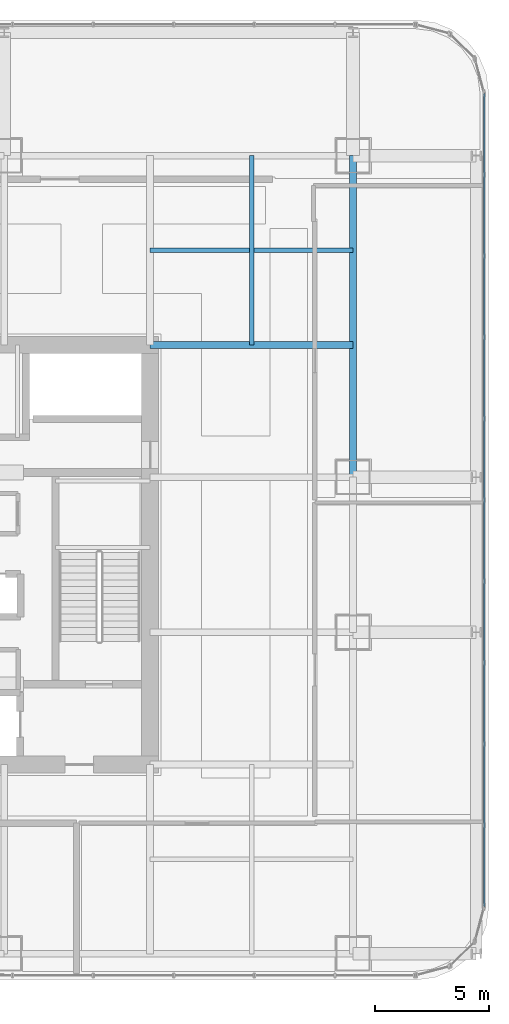
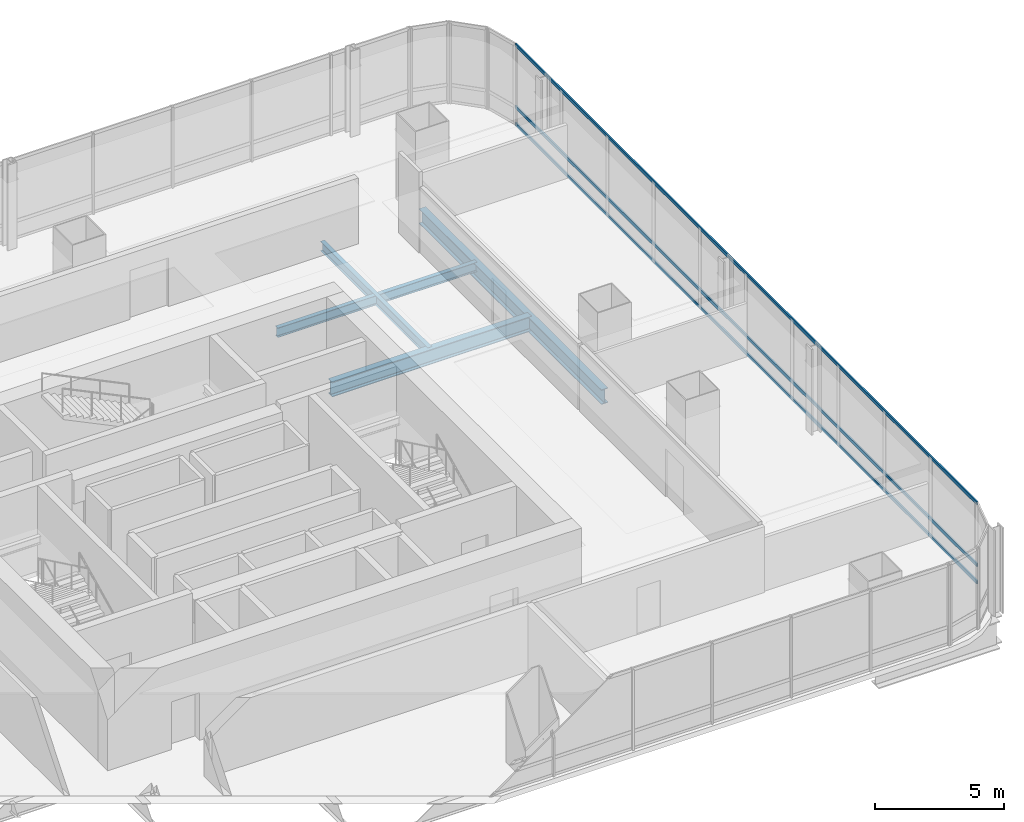
# One storey, part 17 of 34: 4 beams, 3 members, 1 element without a shape of its own.
"""IFC4 building model written with IfcOpenShell, lengths in metres."""

import ifcopenshell
import ifcopenshell.guid

model = None  # the IFC model being written
_history = None  # IfcOwnerHistory: only IFC2X3 demands one
_inside = {}  # id of a spatial element -> (the spatial element, [elements in it])
_under = {}  # id of a project, library or spatial element -> (it, [spatial elements below it])
_declared = {}  # id of a project -> (the project, [libraries it declares])
_typed = {}  # id of a type object -> (the type object, [elements of that type])
_made_of = {}  # id of a material, layer set ... -> (it, [elements and type objects made of it])


def new_model(schema):
    """Start an empty IFC model of exactly this schema.

    Asked for "IFC4X3", IfcOpenShell would pick the latest addendum, in which some entities
    have other attributes; the version numbers below select the first issue.
    IFC2X3 requires an IfcOwnerHistory on every rooted entity: one is made here for all.
    """
    global model, _history
    if schema == "IFC4X3":
        model = ifcopenshell.file(schema_version=(4, 3, 0, 0))
    else:
        model = ifcopenshell.file(schema=schema)
    _inside.clear()
    _under.clear()
    _declared.clear()
    _typed.clear()
    _made_of.clear()
    _history = None
    if model.schema == "IFC2X3":
        org = make("IfcOrganization", Name="unknown")
        user = make(
            "IfcPersonAndOrganization",
            ThePerson=make("IfcPerson", FamilyName="unknown"),
            TheOrganization=org,
        )
        app = make(
            "IfcApplication",
            ApplicationDeveloper=org,
            Version="unknown",
            ApplicationFullName="unknown",
            ApplicationIdentifier="unknown",
        )
        _history = make(
            "IfcOwnerHistory",
            OwningUser=user,
            OwningApplication=app,
            ChangeAction="ADDED",
            CreationDate=0,
        )
    return model


def make(cls, **values):
    """One entity of the class cls with the attributes given. An attribute that is None is left unset."""
    return model.create_entity(
        cls, **{name: value for name, value in values.items() if value is not None}
    )


def rooted(cls, **values):
    """An entity with a GlobalId (a new one), such as an element, a storey or a relation."""
    return make(cls, GlobalId=ifcopenshell.guid.new(), OwnerHistory=_history, **values)


def si_unit(unit_type, name, prefix=None):
    """IfcSIUnit, for example si_unit("LENGTHUNIT", "METRE", prefix="MILLI")."""
    return make("IfcSIUnit", UnitType=unit_type, Prefix=prefix, Name=name)


def assignment(units):
    """IfcUnitAssignment: the units of a project."""
    return None if units is None else make("IfcUnitAssignment", Units=units)


def point(xyz):
    """IfcCartesianPoint."""
    return None if xyz is None else make("IfcCartesianPoint", Coordinates=xyz)


def direction(xyz):
    """IfcDirection."""
    return None if xyz is None else make("IfcDirection", DirectionRatios=xyz)


def frame(location, z_axis=None, x_axis=None):
    """IfcAxis2Placement3D, a coordinate frame: its origin and axes. An axis left out is left unset."""
    return make(
        "IfcAxis2Placement3D",
        Location=point(location),
        Axis=direction(z_axis),
        RefDirection=direction(x_axis),
    )


def frame_2d(location, x_axis=None):
    """IfcAxis2Placement2D, a coordinate frame in the plane: its origin and x axis."""
    return make(
        "IfcAxis2Placement2D", Location=point(location), RefDirection=direction(x_axis)
    )


def origin():
    """The frame at (0, 0, 0) with its axes left unset."""
    return frame((0.0, 0.0, 0.0))


def origin_2d():
    """The frame at (0, 0) in the plane with its x axis left unset."""
    return frame_2d((0.0, 0.0))


def place(relative_to, where):
    """IfcLocalPlacement: puts the frame where relative to a parent placement (None: the world)."""
    return make(
        "IfcLocalPlacement", PlacementRelTo=relative_to, RelativePlacement=where
    )


def context(
    kind, dimensions, precision=None, world=None, true_north=None, identifier=None
):
    """IfcGeometricRepresentationContext, for example the 3D "Model" context."""
    return make(
        "IfcGeometricRepresentationContext",
        ContextIdentifier=identifier,
        ContextType=kind,
        CoordinateSpaceDimension=dimensions,
        Precision=precision,
        WorldCoordinateSystem=world,
        TrueNorth=true_north,
    )


def subcontext(parent, identifier, kind, view, scale=None):
    """IfcGeometricRepresentationSubContext, for example "Body" below "Model"."""
    return make(
        "IfcGeometricRepresentationSubContext",
        ContextIdentifier=identifier,
        ContextType=kind,
        ParentContext=parent,
        TargetScale=scale,
        TargetView=view,
    )


def project(units=None, contexts=None):
    """IfcProject with its units and contexts."""
    return rooted(
        "IfcProject",
        Name="project",
        RepresentationContexts=contexts,
        UnitsInContext=assignment(units),
    )


def spatial(cls, under=None, at=None, **own):
    """A site, building, storey or space (cls), placed at a placement, below another one or the project."""
    s = rooted(cls, ObjectPlacement=at, **own)
    if under is not None:
        _under.setdefault(under.id(), (under, []))[1].append(s)
    return s


def profile(cls, at=None, kind="AREA", **sizes):
    """A parametric profile (cls). Its sizes go by their IFC names, for example OverallWidth=200.0."""
    return make(cls, ProfileType=kind, Position=at, **sizes)


def hollow_rectangle(**sizes):
    """IfcRectangleHollowProfileDef."""
    return profile("IfcRectangleHollowProfileDef", **sizes)


def i_section(**sizes):
    """IfcIShapeProfileDef."""
    return profile("IfcIShapeProfileDef", **sizes)


def extrude(swept, where, along, depth):
    """IfcExtrudedAreaSolid: the profile swept, set in the frame where, extruded along a direction by depth."""
    return make(
        "IfcExtrudedAreaSolid",
        SweptArea=swept,
        Position=where,
        ExtrudedDirection=direction(along),
        Depth=depth,
    )


def shape(context_of_items, identifier, shape_type, items):
    """IfcShapeRepresentation: the items that make up one representation, for example the "Body"."""
    return make(
        "IfcShapeRepresentation",
        ContextOfItems=context_of_items,
        RepresentationIdentifier=identifier,
        RepresentationType=shape_type,
        Items=items,
    )


def material(Name=None, Category=None):
    """IfcMaterial."""
    return make("IfcMaterial", Name=Name, Category=Category)


def material_profile(
    of_material, cross_section, Name=None, Category=None, Priority=None
):
    """IfcMaterialProfile: a cross section and its material."""
    return make(
        "IfcMaterialProfile",
        Name=Name,
        Material=of_material,
        Profile=cross_section,
        Priority=Priority,
        Category=Category,
    )


def profile_set(profiles, Name=None, composite=None):
    """IfcMaterialProfileSet."""
    return make(
        "IfcMaterialProfileSet",
        Name=Name,
        MaterialProfiles=profiles,
        CompositeProfile=composite,
    )


def made_of(thing, what):
    """Note that an element or type object is made of a material, layer set ...; save() writes the relation."""
    if what is not None:
        _made_of.setdefault(what.id(), (what, []))[1].append(thing)
    return thing


def type_object(cls, material=None, **own):
    """A type object (cls), such as IfcWallType, which elements share."""
    return made_of(rooted(cls, **own), material)


def element(
    cls,
    number,
    at=None,
    inside=None,
    cuts=None,
    type_object=None,
    material=None,
    context=None,
    identifier="Body",
    shape_type=None,
    held_by="IfcProductDefinitionShape",
    body=None,
    shapes=None,
    **own,
):
    """One element of the class cls, such as IfcWall. Its Tag is "e" and its number.

    at: its placement. inside: the storey or other place that contains it. cuts: it is an
    opening in that element (IfcRelVoidsElement). A single representation is given by context,
    identifier, shape_type and body (its items); several are given by shapes. held_by: the class
    of the entity that holds the representations. save() writes the other relations.
    """
    e = rooted(cls, Tag="e%d" % number, ObjectPlacement=at, **own)
    if body is not None:
        shapes = [shape(context, identifier, shape_type, body)]
    if shapes is not None:
        e.Representation = make(held_by, Representations=shapes)
    if inside is not None:
        _inside.setdefault(inside.id(), (inside, []))[1].append(e)
    if cuts is not None:
        rooted(
            "IfcRelVoidsElement", RelatingBuildingElement=cuts, RelatedOpeningElement=e
        )
    if type_object is not None:
        _typed.setdefault(type_object.id(), (type_object, []))[1].append(e)
    return made_of(e, material)


def aggregate(whole, parts):
    """IfcRelAggregates: a whole, such as a stair, and the parts it consists of."""
    return rooted("IfcRelAggregates", RelatingObject=whole, RelatedObjects=parts)


def save(model, path):
    """Write the relations noted so far, then the file.

    IfcRelAggregates (storeys below a building ...), IfcRelContainedInSpatialStructure (elements
    in a storey), IfcRelDefinesByType, IfcRelAssociatesMaterial and IfcRelDeclares: one each for
    every whole, place, type object, material and project.
    """
    for whole, parts in _under.values():
        aggregate(whole, parts)
    for where, things in _inside.values():
        rooted(
            "IfcRelContainedInSpatialStructure",
            RelatedElements=things,
            RelatingStructure=where,
        )
    for kind, things in _typed.values():
        rooted("IfcRelDefinesByType", RelatedObjects=things, RelatingType=kind)
    for what, things in _made_of.values():
        rooted("IfcRelAssociatesMaterial", RelatedObjects=things, RelatingMaterial=what)
    for by, libraries in _declared.values():
        rooted("IfcRelDeclares", RelatingContext=by, RelatedDefinitions=libraries)
    model.write(path)


model = new_model("IFC4")

# Units and contexts
model_context = context("Model", 3, precision=1e-05, world=origin(), true_north=direction((0.0, 1.0)))
body_context = subcontext(model_context, "Body", "Model", "MODEL_VIEW")
ifc_project = project(units=[si_unit("LENGTHUNIT", "METRE"), si_unit("AREAUNIT", "SQUARE_METRE"), si_unit("VOLUMEUNIT", "CUBIC_METRE"), si_unit("PLANEANGLEUNIT", "RADIAN"), si_unit("MASSUNIT", "GRAM", prefix="KILO")], contexts=[model_context])

# Site, building, storey
site_placement = place(None, origin())
site = spatial("IfcSite", under=ifc_project, at=site_placement, CompositionType="ELEMENT")
building_placement = place(site_placement, origin())
building = spatial("IfcBuilding", under=site, at=building_placement, Name="Punatoya Terracotta Tower", CompositionType="ELEMENT")
storey_placement = place(building_placement, frame((0.0, 0.0, 101.10009765625)))
storey = spatial("IfcBuildingStorey", under=building, at=storey_placement, Name="L23", CompositionType="ELEMENT", Elevation=101.10009765625)

# Beams
ifc_material_1 = material(Name="Steel S355", Category="steel")
ifc_material_profile_1 = material_profile(ifc_material_1, i_section(OverallWidth=0.300048828125, OverallDepth=0.699951171875, WebThickness=0.01708984375, FlangeThickness=0.031982421875, FilletRadius=0.01806640625, at=origin_2d()))
ifc_profile_set_1 = profile_set([ifc_material_profile_1], Name="Steel S355")
beam_type_1 = type_object("IfcBeamType", Name="BM-PRI-700", PredefinedType="BEAM", material=ifc_profile_set_1)
beam_1_placement = place(storey_placement, frame((19.10009765625, 3.39990234375, -0.590087890625), z_axis=(0.0, 1.0, 0.0), x_axis=(-1.0, 0.0, 0.0)))
element("IfcBeam", 1, at=beam_1_placement, inside=storey, type_object=beam_type_1, Name="BM-L23-RG-E3", PredefinedType="BEAM", context=body_context, shape_type="SweptSolid", body=[
    extrude(i_section(OverallWidth=0.300048828125, OverallDepth=0.699951171875, WebThickness=0.01708984375, FlangeThickness=0.031982421875, FilletRadius=0.01806640625, at=origin_2d()), origin(), (0.0, 0.0, 1.0), 14.10009765625),
])
beam_2_placement = place(storey_placement, frame((10.199951171875, 9.199951171875, -0.590087890625), z_axis=(1.0, 0.0, 0.0), x_axis=(0.0, 1.0, 0.0)))
element("IfcBeam", 2, at=beam_2_placement, inside=storey, type_object=beam_type_1, Name="BM-L23-PR-EN", PredefinedType="BEAM", context=body_context, shape_type="SweptSolid", body=[
    extrude(i_section(OverallWidth=0.300048828125, OverallDepth=0.699951171875, WebThickness=0.01708984375, FlangeThickness=0.031982421875, FilletRadius=0.01806640625, at=origin_2d()), origin(), (0.0, 0.0, 1.0), 8.900146484375),
])
ifc_material_profile_2 = material_profile(ifc_material_1, i_section(OverallWidth=0.18994140625, OverallDepth=0.449951171875, WebThickness=0.009521484375, FlangeThickness=0.0146484375, FilletRadius=0.01806640625, at=origin_2d()))
ifc_profile_set_2 = profile_set([ifc_material_profile_2], Name="Steel S355")
beam_type_2 = type_object("IfcBeamType", Name="BM-SEC-450", PredefinedType="JOIST", material=ifc_profile_set_2)
beam_3_placement = place(storey_placement, frame((10.199951171875, 13.35009765625, -0.465087890625), z_axis=(1.0, 0.0, 0.0), x_axis=(0.0, 1.0, 0.0)))
element("IfcBeam", 3, at=beam_3_placement, inside=storey, type_object=beam_type_2, Name="BM-L23-SJN-2", PredefinedType="JOIST", context=body_context, shape_type="SweptSolid", body=[
    extrude(i_section(OverallWidth=0.18994140625, OverallDepth=0.449951171875, WebThickness=0.009521484375, FlangeThickness=0.0146484375, FilletRadius=0.01806640625, at=origin_2d()), origin(), (0.0, 0.0, 1.0), 8.900146484375),
])
beam_4_placement = place(storey_placement, frame((14.64990234375, 9.199951171875, -0.465087890625), z_axis=(0.0, 1.0, 0.0), x_axis=(-1.0, 0.0, 0.0)))
element("IfcBeam", 4, at=beam_4_placement, inside=storey, type_object=beam_type_2, Name="BM-L23-SJE-2", PredefinedType="JOIST", context=body_context, shape_type="SweptSolid", body=[
    extrude(i_section(OverallWidth=0.18994140625, OverallDepth=0.449951171875, WebThickness=0.009521484375, FlangeThickness=0.0146484375, FilletRadius=0.01806640625, at=origin_2d()), origin(), (0.0, 0.0, 1.0), 8.300048828125),
])

# Curtain wall, members
ifc_material_2 = material(Name="Aluminium 6063-T6 + Double Low-E Glass", Category="aluminium")
curtain_wall_type = type_object("IfcCurtainWallType", Name="CW-M1", PredefinedType="NOTDEFINED", material=ifc_material_2)
curtain_wall_placement = place(storey_placement, origin())
curtain_wall = element("IfcCurtainWall", 5, at=curtain_wall_placement, inside=storey, type_object=curtain_wall_type, Name="L23 Curtain Wall CW-L23-E05-1", PredefinedType="NOTDEFINED")
ifc_material_3 = material(Name="Aluminium 6063-T6", Category="aluminium")
ifc_material_profile_3 = material_profile(ifc_material_3, hollow_rectangle(XDim=0.068115234375, YDim=0.14990234375, WallThickness=0.00390625, at=origin_2d()))
ifc_profile_set_3 = profile_set([ifc_material_profile_3], Name="Aluminium 6063-T6")
member_type = type_object("IfcMemberType", Name="CW-TRN-TYP", PredefinedType="USERDEFINED", material=ifc_profile_set_3)
member_1_placement = place(storey_placement, frame((24.85009765625, -15.43701171875, 0.039794921875), z_axis=(0.0, 1.0, 0.0), x_axis=(-1.0, 0.0, 0.0)))
member_1 = element("IfcMember", 6, at=member_1_placement, type_object=member_type, Name="CW-L23-E05-1 Transom 1", ObjectType="TRANSOM", PredefinedType="USERDEFINED", context=body_context, shape_type="SweptSolid", body=[
    extrude(hollow_rectangle(XDim=0.068115234375, YDim=0.14990234375, WallThickness=0.00390625, at=origin_2d()), origin(), (0.0, 0.0, 1.0), 35.673828125),
])
member_2_placement = place(storey_placement, frame((24.85009765625, -15.43701171875, 0.849853515625), z_axis=(0.0, 1.0, 0.0), x_axis=(-1.0, 0.0, 0.0)))
member_2 = element("IfcMember", 7, at=member_2_placement, type_object=member_type, Name="CW-L23-E05-1 Transom 2", ObjectType="TRANSOM", PredefinedType="USERDEFINED", context=body_context, shape_type="SweptSolid", body=[
    extrude(hollow_rectangle(XDim=0.068115234375, YDim=0.14990234375, WallThickness=0.00390625, at=origin_2d()), origin(), (0.0, 0.0, 1.0), 35.673828125),
])
member_3_placement = place(storey_placement, frame((24.85009765625, -15.43701171875, 3.77001953125), z_axis=(0.0, 1.0, 0.0), x_axis=(-1.0, 0.0, 0.0)))
member_3 = element("IfcMember", 8, at=member_3_placement, type_object=member_type, Name="CW-L23-E05-1 Transom 3", ObjectType="TRANSOM", PredefinedType="USERDEFINED", context=body_context, shape_type="SweptSolid", body=[
    extrude(hollow_rectangle(XDim=0.068115234375, YDim=0.14990234375, WallThickness=0.00390625, at=origin_2d()), origin(), (0.0, 0.0, 1.0), 35.673828125),
])
aggregate(curtain_wall, [member_1, member_2, member_3])

save(model, "model.ifc")
